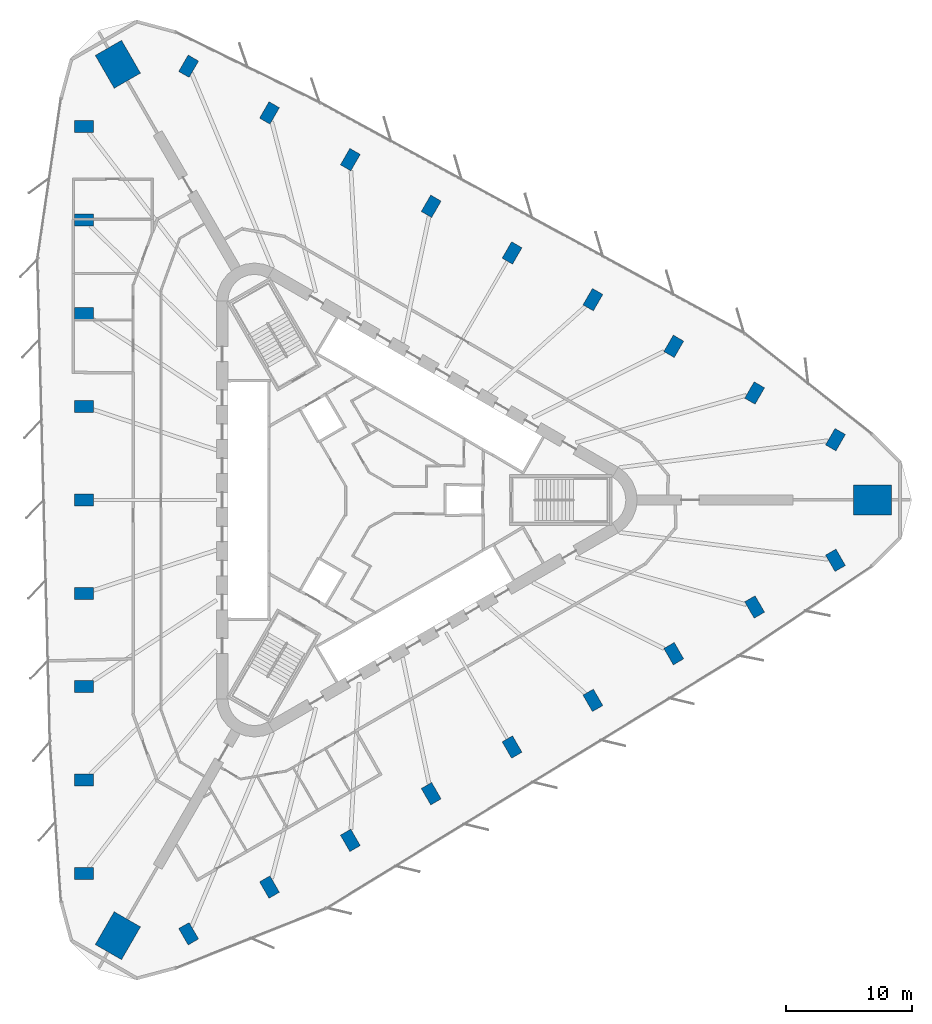
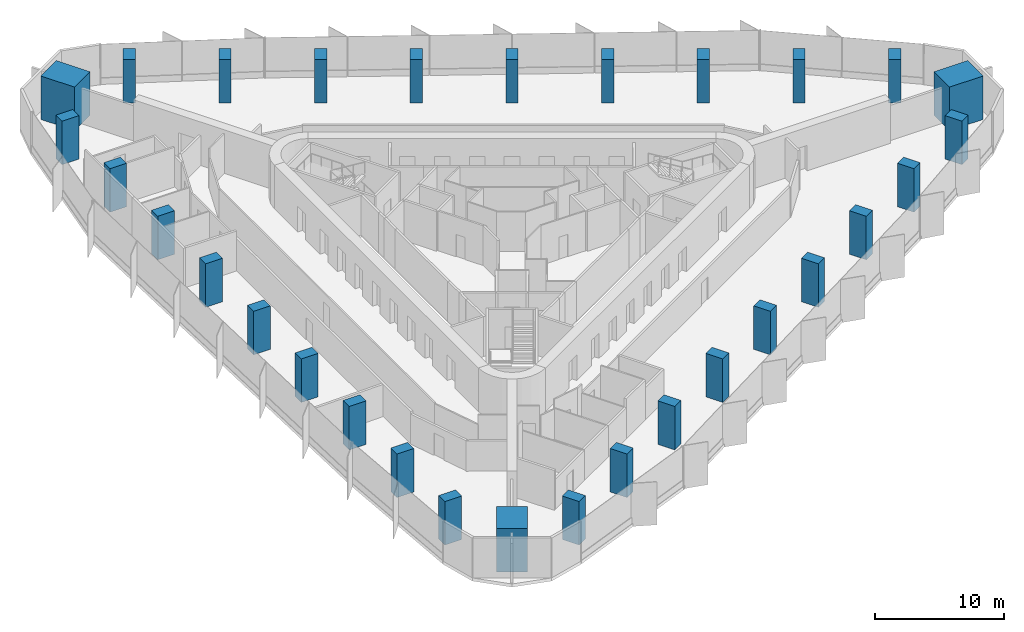
# One storey, part 1 of 14: 30 columns.
"""IFC4 building model written with IfcOpenShell, lengths in metres."""

import ifcopenshell
import ifcopenshell.guid

model = None  # the IFC model being written
_history = None  # IfcOwnerHistory: only IFC2X3 demands one
_inside = {}  # id of a spatial element -> (the spatial element, [elements in it])
_under = {}  # id of a project, library or spatial element -> (it, [spatial elements below it])
_declared = {}  # id of a project -> (the project, [libraries it declares])
_typed = {}  # id of a type object -> (the type object, [elements of that type])
_made_of = {}  # id of a material, layer set ... -> (it, [elements and type objects made of it])


def new_model(schema):
    """Start an empty IFC model of exactly this schema.

    Asked for "IFC4X3", IfcOpenShell would pick the latest addendum, in which some entities
    have other attributes; the version numbers below select the first issue.
    IFC2X3 requires an IfcOwnerHistory on every rooted entity: one is made here for all.
    """
    global model, _history
    if schema == "IFC4X3":
        model = ifcopenshell.file(schema_version=(4, 3, 0, 0))
    else:
        model = ifcopenshell.file(schema=schema)
    _inside.clear()
    _under.clear()
    _declared.clear()
    _typed.clear()
    _made_of.clear()
    _history = None
    if model.schema == "IFC2X3":
        org = make("IfcOrganization", Name="unknown")
        user = make(
            "IfcPersonAndOrganization",
            ThePerson=make("IfcPerson", FamilyName="unknown"),
            TheOrganization=org,
        )
        app = make(
            "IfcApplication",
            ApplicationDeveloper=org,
            Version="unknown",
            ApplicationFullName="unknown",
            ApplicationIdentifier="unknown",
        )
        _history = make(
            "IfcOwnerHistory",
            OwningUser=user,
            OwningApplication=app,
            ChangeAction="ADDED",
            CreationDate=0,
        )
    return model


def make(cls, **values):
    """One entity of the class cls with the attributes given. An attribute that is None is left unset."""
    return model.create_entity(
        cls, **{name: value for name, value in values.items() if value is not None}
    )


def rooted(cls, **values):
    """An entity with a GlobalId (a new one), such as an element, a storey or a relation."""
    return make(cls, GlobalId=ifcopenshell.guid.new(), OwnerHistory=_history, **values)


def si_unit(unit_type, name, prefix=None):
    """IfcSIUnit, for example si_unit("LENGTHUNIT", "METRE", prefix="MILLI")."""
    return make("IfcSIUnit", UnitType=unit_type, Prefix=prefix, Name=name)


def assignment(units):
    """IfcUnitAssignment: the units of a project."""
    return None if units is None else make("IfcUnitAssignment", Units=units)


def point(xyz):
    """IfcCartesianPoint."""
    return None if xyz is None else make("IfcCartesianPoint", Coordinates=xyz)


def direction(xyz):
    """IfcDirection."""
    return None if xyz is None else make("IfcDirection", DirectionRatios=xyz)


def frame(location, z_axis=None, x_axis=None):
    """IfcAxis2Placement3D, a coordinate frame: its origin and axes. An axis left out is left unset."""
    return make(
        "IfcAxis2Placement3D",
        Location=point(location),
        Axis=direction(z_axis),
        RefDirection=direction(x_axis),
    )


def frame_2d(location, x_axis=None):
    """IfcAxis2Placement2D, a coordinate frame in the plane: its origin and x axis."""
    return make(
        "IfcAxis2Placement2D", Location=point(location), RefDirection=direction(x_axis)
    )


def origin():
    """The frame at (0, 0, 0) with its axes left unset."""
    return frame((0.0, 0.0, 0.0))


def origin_2d():
    """The frame at (0, 0) in the plane with its x axis left unset."""
    return frame_2d((0.0, 0.0))


def place(relative_to, where):
    """IfcLocalPlacement: puts the frame where relative to a parent placement (None: the world)."""
    return make(
        "IfcLocalPlacement", PlacementRelTo=relative_to, RelativePlacement=where
    )


def context(
    kind, dimensions, precision=None, world=None, true_north=None, identifier=None
):
    """IfcGeometricRepresentationContext, for example the 3D "Model" context."""
    return make(
        "IfcGeometricRepresentationContext",
        ContextIdentifier=identifier,
        ContextType=kind,
        CoordinateSpaceDimension=dimensions,
        Precision=precision,
        WorldCoordinateSystem=world,
        TrueNorth=true_north,
    )


def subcontext(parent, identifier, kind, view, scale=None):
    """IfcGeometricRepresentationSubContext, for example "Body" below "Model"."""
    return make(
        "IfcGeometricRepresentationSubContext",
        ContextIdentifier=identifier,
        ContextType=kind,
        ParentContext=parent,
        TargetScale=scale,
        TargetView=view,
    )


def project(units=None, contexts=None):
    """IfcProject with its units and contexts."""
    return rooted(
        "IfcProject",
        Name="project",
        RepresentationContexts=contexts,
        UnitsInContext=assignment(units),
    )


def spatial(cls, under=None, at=None, **own):
    """A site, building, storey or space (cls), placed at a placement, below another one or the project."""
    s = rooted(cls, ObjectPlacement=at, **own)
    if under is not None:
        _under.setdefault(under.id(), (under, []))[1].append(s)
    return s


def profile(cls, at=None, kind="AREA", **sizes):
    """A parametric profile (cls). Its sizes go by their IFC names, for example OverallWidth=200.0."""
    return make(cls, ProfileType=kind, Position=at, **sizes)


def rectangle(**sizes):
    """IfcRectangleProfileDef."""
    return profile("IfcRectangleProfileDef", **sizes)


def extrude(swept, where, along, depth):
    """IfcExtrudedAreaSolid: the profile swept, set in the frame where, extruded along a direction by depth."""
    return make(
        "IfcExtrudedAreaSolid",
        SweptArea=swept,
        Position=where,
        ExtrudedDirection=direction(along),
        Depth=depth,
    )


def shape(context_of_items, identifier, shape_type, items):
    """IfcShapeRepresentation: the items that make up one representation, for example the "Body"."""
    return make(
        "IfcShapeRepresentation",
        ContextOfItems=context_of_items,
        RepresentationIdentifier=identifier,
        RepresentationType=shape_type,
        Items=items,
    )


def material(Name=None, Category=None):
    """IfcMaterial."""
    return make("IfcMaterial", Name=Name, Category=Category)


def material_profile(
    of_material, cross_section, Name=None, Category=None, Priority=None
):
    """IfcMaterialProfile: a cross section and its material."""
    return make(
        "IfcMaterialProfile",
        Name=Name,
        Material=of_material,
        Profile=cross_section,
        Priority=Priority,
        Category=Category,
    )


def profile_set(profiles, Name=None, composite=None):
    """IfcMaterialProfileSet."""
    return make(
        "IfcMaterialProfileSet",
        Name=Name,
        MaterialProfiles=profiles,
        CompositeProfile=composite,
    )


def made_of(thing, what):
    """Note that an element or type object is made of a material, layer set ...; save() writes the relation."""
    if what is not None:
        _made_of.setdefault(what.id(), (what, []))[1].append(thing)
    return thing


def type_object(cls, material=None, **own):
    """A type object (cls), such as IfcWallType, which elements share."""
    return made_of(rooted(cls, **own), material)


def element(
    cls,
    number,
    at=None,
    inside=None,
    cuts=None,
    type_object=None,
    material=None,
    context=None,
    identifier="Body",
    shape_type=None,
    held_by="IfcProductDefinitionShape",
    body=None,
    shapes=None,
    **own,
):
    """One element of the class cls, such as IfcWall. Its Tag is "e" and its number.

    at: its placement. inside: the storey or other place that contains it. cuts: it is an
    opening in that element (IfcRelVoidsElement). A single representation is given by context,
    identifier, shape_type and body (its items); several are given by shapes. held_by: the class
    of the entity that holds the representations. save() writes the other relations.
    """
    e = rooted(cls, Tag="e%d" % number, ObjectPlacement=at, **own)
    if body is not None:
        shapes = [shape(context, identifier, shape_type, body)]
    if shapes is not None:
        e.Representation = make(held_by, Representations=shapes)
    if inside is not None:
        _inside.setdefault(inside.id(), (inside, []))[1].append(e)
    if cuts is not None:
        rooted(
            "IfcRelVoidsElement", RelatingBuildingElement=cuts, RelatedOpeningElement=e
        )
    if type_object is not None:
        _typed.setdefault(type_object.id(), (type_object, []))[1].append(e)
    return made_of(e, material)


def aggregate(whole, parts):
    """IfcRelAggregates: a whole, such as a stair, and the parts it consists of."""
    return rooted("IfcRelAggregates", RelatingObject=whole, RelatedObjects=parts)


def save(model, path):
    """Write the relations noted so far, then the file.

    IfcRelAggregates (storeys below a building ...), IfcRelContainedInSpatialStructure (elements
    in a storey), IfcRelDefinesByType, IfcRelAssociatesMaterial and IfcRelDeclares: one each for
    every whole, place, type object, material and project.
    """
    for whole, parts in _under.values():
        aggregate(whole, parts)
    for where, things in _inside.values():
        rooted(
            "IfcRelContainedInSpatialStructure",
            RelatedElements=things,
            RelatingStructure=where,
        )
    for kind, things in _typed.values():
        rooted("IfcRelDefinesByType", RelatedObjects=things, RelatingType=kind)
    for what, things in _made_of.values():
        rooted("IfcRelAssociatesMaterial", RelatedObjects=things, RelatingMaterial=what)
    for by, libraries in _declared.values():
        rooted("IfcRelDeclares", RelatingContext=by, RelatedDefinitions=libraries)
    model.write(path)


model = new_model("IFC4")

# Units and contexts
model_context = context("Model", 3, precision=1e-05, world=origin(), true_north=direction((0.0, 1.0)))
body_context = subcontext(model_context, "Body", "Model", "MODEL_VIEW")
ifc_project = project(units=[si_unit("LENGTHUNIT", "METRE"), si_unit("AREAUNIT", "SQUARE_METRE"), si_unit("VOLUMEUNIT", "CUBIC_METRE"), si_unit("PLANEANGLEUNIT", "RADIAN"), si_unit("MASSUNIT", "GRAM", prefix="KILO")], contexts=[model_context])

# Site, building, storey
site_placement = place(None, origin())
site = spatial("IfcSite", under=ifc_project, at=site_placement, CompositionType="ELEMENT")
building_placement = place(site_placement, origin())
building = spatial("IfcBuilding", under=site, at=building_placement, Name="Tanit Gate Tower", CompositionType="ELEMENT")
storey_placement = place(building_placement, frame((0.0, 0.0, 152.10009765625)))
storey = spatial("IfcBuildingStorey", under=building, at=storey_placement, Name="L33", CompositionType="ELEMENT", Elevation=152.10009765625)

# Columns
ifc_material_1 = material(Name="Concrete C70/85", Category="concrete")
ifc_material_profile_1 = material_profile(ifc_material_1, rectangle(XDim=3.0, YDim=2.39990234375, at=origin_2d()), Name="RC 3000x2400")
ifc_profile_set_1 = profile_set([ifc_material_profile_1], Name="Concrete C70/85")
column_type_1 = type_object("IfcColumnType", Name="MEGA COLUMN 3000x2400 C70/85", PredefinedType="COLUMN", material=ifc_profile_set_1)
for number, where, z_axis, x_axis, name in (
    (1, (39.830078125, 0.0, 0.0), (0.0, 0.0, 1.0), (1.0, 0.0, 0.0), "MEGA COLUMN"),
    (2, (-19.9150390625, 34.493896484375, 0.0), (0.0, 0.0, 1.0), (-0.5, 0.866025403784, 0.0), "MEGA COLUMN"),
    (3, (-19.9150390625, -34.493896484375, 0.0), (0.0, 0.0, 1.0), (-0.5, -0.866025403784, 0.0), "MEGA COLUMN"),
):
    element("IfcColumn", number, at=place(storey_placement, frame(where, z_axis=z_axis, x_axis=x_axis)), inside=storey, type_object=column_type_1, Name=name, PredefinedType="COLUMN", context=body_context, shape_type="SweptSolid", body=[
        extrude(rectangle(XDim=3.0, YDim=2.39990234375, at=origin_2d()), origin(), (0.0, 0.0, 1.0), 4.099853515625),
    ])
ifc_material_2 = material(Name="Concrete C60/75", Category="concrete")
ifc_material_profile_2 = material_profile(ifc_material_2, rectangle(XDim=1.5, YDim=0.949951171875, at=origin_2d()), Name="RC 1500x950")
ifc_profile_set_2 = profile_set([ifc_material_profile_2], Name="Concrete C60/75")
column_type_2 = type_object("IfcColumnType", Name="PERIMETER COLUMN 1500x950 C60/75", PredefinedType="COLUMN", material=ifc_profile_set_2)
for number, where, z_axis, x_axis, name in (
    (4, (-22.58251953125, 29.56591796875, 0.0), (0.0, 0.0, 1.0), (-1.0, 0.0, 0.0), "PERIMETER COLUMN"),
    (5, (-22.58251953125, 22.17431640625, 0.0), (0.0, 0.0, 1.0), (-1.0, 0.0, 0.0), "PERIMETER COLUMN"),
    (6, (-22.58251953125, 14.782958984375, 0.0), (0.0, 0.0, 1.0), (-1.0, 0.0, 0.0), "PERIMETER COLUMN"),
    (7, (-22.58251953125, 7.391357421875, 0.0), (0.0, 0.0, 1.0), (-1.0, 0.0, 0.0), "PERIMETER COLUMN"),
    (8, (-22.58251953125, 0.0, 0.0), (0.0, 0.0, 1.0), (-1.0, 0.0, 0.0), "PERIMETER COLUMN"),
    (9, (-22.58251953125, -7.391357421875, 0.0), (0.0, 0.0, 1.0), (-1.0, 0.0, 0.0), "PERIMETER COLUMN"),
    (10, (-22.58251953125, -14.782958984375, 0.0), (0.0, 0.0, 1.0), (-1.0, 0.0, 0.0), "PERIMETER COLUMN"),
    (11, (-22.58251953125, -22.17431640625, 0.0), (0.0, 0.0, 1.0), (-1.0, 0.0, 0.0), "PERIMETER COLUMN"),
    (12, (-22.58251953125, -29.56591796875, 0.0), (0.0, 0.0, 1.0), (-1.0, 0.0, 0.0), "PERIMETER COLUMN"),
    (13, (36.89599609375, 4.774169921875, 0.0), (0.0, 0.0, 1.0), (0.5, 0.866025403784, 0.0), "PERIMETER COLUMN"),
    (14, (30.494873046875, 8.4697265625, 0.0), (0.0, 0.0, 1.0), (0.5, 0.866025403784, 0.0), "PERIMETER COLUMN"),
    (15, (24.093505859375, 12.16552734375, 0.0), (0.0, 0.0, 1.0), (0.5, 0.866025403784, 0.0), "PERIMETER COLUMN"),
    (16, (17.6923828125, 15.861083984375, 0.0), (0.0, 0.0, 1.0), (0.5, 0.866025403784, 0.0), "PERIMETER COLUMN"),
    (17, (11.291259765625, 19.556884765625, 0.0), (0.0, 0.0, 1.0), (0.5, 0.866025403784, 0.0), "PERIMETER COLUMN"),
    (18, (4.889892578125, 23.252685546875, 0.0), (0.0, 0.0, 1.0), (0.5, 0.866025403784, 0.0), "PERIMETER COLUMN"),
    (19, (-1.510986328125, 26.948486328125, 0.0), (0.0, 0.0, 1.0), (0.5, 0.866025403784, 0.0), "PERIMETER COLUMN"),
    (20, (-7.912353515625, 30.64404296875, 0.0), (0.0, 0.0, 1.0), (0.5, 0.866025403784, 0.0), "PERIMETER COLUMN"),
    (21, (-14.3134765625, 34.33984375, 0.0), (0.0, 0.0, 1.0), (0.5, 0.866025403784, 0.0), "PERIMETER COLUMN"),
    (22, (-14.3134765625, -34.33984375, 0.0), (0.0, 0.0, 1.0), (0.5, -0.866025403784, 0.0), "PERIMETER COLUMN"),
    (23, (-7.912353515625, -30.64404296875, 0.0), (0.0, 0.0, 1.0), (0.5, -0.866025403784, 0.0), "PERIMETER COLUMN"),
    (24, (-1.510986328125, -26.948486328125, 0.0), (0.0, 0.0, 1.0), (0.5, -0.866025403784, 0.0), "PERIMETER COLUMN"),
    (25, (4.889892578125, -23.252685546875, 0.0), (0.0, 0.0, 1.0), (0.5, -0.866025403784, 0.0), "PERIMETER COLUMN"),
    (26, (11.291259765625, -19.556884765625, 0.0), (0.0, 0.0, 1.0), (0.5, -0.866025403784, 0.0), "PERIMETER COLUMN"),
    (27, (17.6923828125, -15.861083984375, 0.0), (0.0, 0.0, 1.0), (0.5, -0.866025403784, 0.0), "PERIMETER COLUMN"),
    (28, (24.093505859375, -12.16552734375, 0.0), (0.0, 0.0, 1.0), (0.5, -0.866025403784, 0.0), "PERIMETER COLUMN"),
    (29, (30.494873046875, -8.4697265625, 0.0), (0.0, 0.0, 1.0), (0.5, -0.866025403784, 0.0), "PERIMETER COLUMN"),
    (30, (36.89599609375, -4.774169921875, 0.0), (0.0, 0.0, 1.0), (0.5, -0.866025403784, 0.0), "PERIMETER COLUMN"),
):
    element("IfcColumn", number, at=place(storey_placement, frame(where, z_axis=z_axis, x_axis=x_axis)), inside=storey, type_object=column_type_2, Name=name, PredefinedType="COLUMN", context=body_context, shape_type="SweptSolid", body=[
        extrude(rectangle(XDim=1.5, YDim=0.949951171875, at=origin_2d()), origin(), (0.0, 0.0, 1.0), 4.099853515625),
    ])

save(model, "model.ifc")
